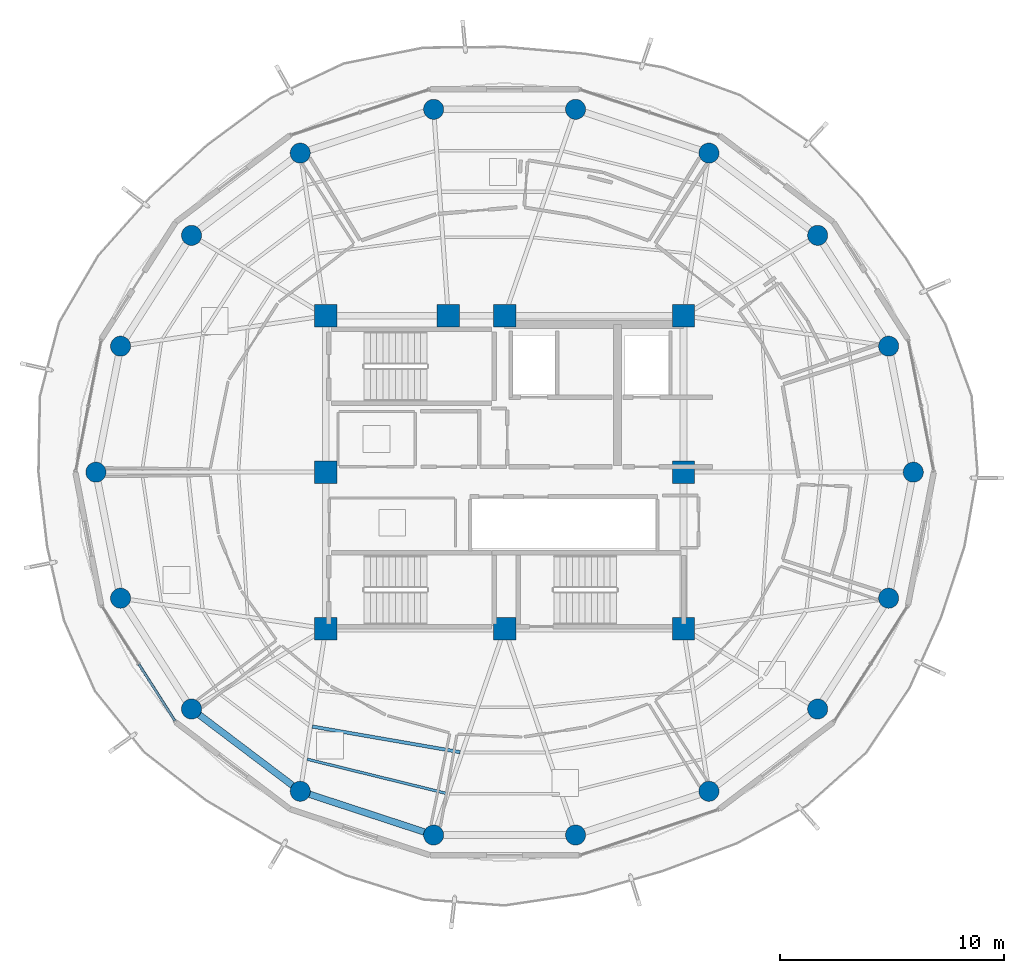
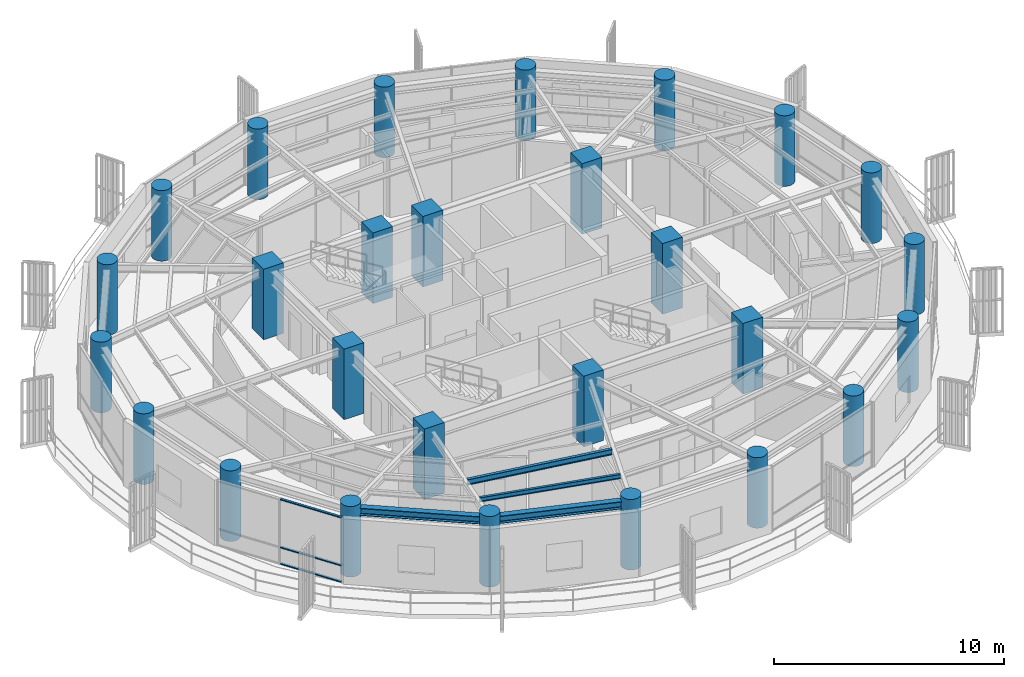
# One storey, part 1 of 22: 27 columns, 4 beams, 3 members, 1 element without a shape of its own.
"""IFC4 building model written with IfcOpenShell, lengths in metres."""

import ifcopenshell
import ifcopenshell.guid

model = None  # the IFC model being written
_history = None  # IfcOwnerHistory: only IFC2X3 demands one
_inside = {}  # id of a spatial element -> (the spatial element, [elements in it])
_under = {}  # id of a project, library or spatial element -> (it, [spatial elements below it])
_declared = {}  # id of a project -> (the project, [libraries it declares])
_typed = {}  # id of a type object -> (the type object, [elements of that type])
_made_of = {}  # id of a material, layer set ... -> (it, [elements and type objects made of it])


def new_model(schema):
    """Start an empty IFC model of exactly this schema.

    Asked for "IFC4X3", IfcOpenShell would pick the latest addendum, in which some entities
    have other attributes; the version numbers below select the first issue.
    IFC2X3 requires an IfcOwnerHistory on every rooted entity: one is made here for all.
    """
    global model, _history
    if schema == "IFC4X3":
        model = ifcopenshell.file(schema_version=(4, 3, 0, 0))
    else:
        model = ifcopenshell.file(schema=schema)
    _inside.clear()
    _under.clear()
    _declared.clear()
    _typed.clear()
    _made_of.clear()
    _history = None
    if model.schema == "IFC2X3":
        org = make("IfcOrganization", Name="unknown")
        user = make(
            "IfcPersonAndOrganization",
            ThePerson=make("IfcPerson", FamilyName="unknown"),
            TheOrganization=org,
        )
        app = make(
            "IfcApplication",
            ApplicationDeveloper=org,
            Version="unknown",
            ApplicationFullName="unknown",
            ApplicationIdentifier="unknown",
        )
        _history = make(
            "IfcOwnerHistory",
            OwningUser=user,
            OwningApplication=app,
            ChangeAction="ADDED",
            CreationDate=0,
        )
    return model


def make(cls, **values):
    """One entity of the class cls with the attributes given. An attribute that is None is left unset."""
    return model.create_entity(
        cls, **{name: value for name, value in values.items() if value is not None}
    )


def rooted(cls, **values):
    """An entity with a GlobalId (a new one), such as an element, a storey or a relation."""
    return make(cls, GlobalId=ifcopenshell.guid.new(), OwnerHistory=_history, **values)


def si_unit(unit_type, name, prefix=None):
    """IfcSIUnit, for example si_unit("LENGTHUNIT", "METRE", prefix="MILLI")."""
    return make("IfcSIUnit", UnitType=unit_type, Prefix=prefix, Name=name)


def assignment(units):
    """IfcUnitAssignment: the units of a project."""
    return None if units is None else make("IfcUnitAssignment", Units=units)


def point(xyz):
    """IfcCartesianPoint."""
    return None if xyz is None else make("IfcCartesianPoint", Coordinates=xyz)


def direction(xyz):
    """IfcDirection."""
    return None if xyz is None else make("IfcDirection", DirectionRatios=xyz)


def frame(location, z_axis=None, x_axis=None):
    """IfcAxis2Placement3D, a coordinate frame: its origin and axes. An axis left out is left unset."""
    return make(
        "IfcAxis2Placement3D",
        Location=point(location),
        Axis=direction(z_axis),
        RefDirection=direction(x_axis),
    )


def frame_2d(location, x_axis=None):
    """IfcAxis2Placement2D, a coordinate frame in the plane: its origin and x axis."""
    return make(
        "IfcAxis2Placement2D", Location=point(location), RefDirection=direction(x_axis)
    )


def origin():
    """The frame at (0, 0, 0) with its axes left unset."""
    return frame((0.0, 0.0, 0.0))


def origin_2d():
    """The frame at (0, 0) in the plane with its x axis left unset."""
    return frame_2d((0.0, 0.0))


def place(relative_to, where):
    """IfcLocalPlacement: puts the frame where relative to a parent placement (None: the world)."""
    return make(
        "IfcLocalPlacement", PlacementRelTo=relative_to, RelativePlacement=where
    )


def context(
    kind, dimensions, precision=None, world=None, true_north=None, identifier=None
):
    """IfcGeometricRepresentationContext, for example the 3D "Model" context."""
    return make(
        "IfcGeometricRepresentationContext",
        ContextIdentifier=identifier,
        ContextType=kind,
        CoordinateSpaceDimension=dimensions,
        Precision=precision,
        WorldCoordinateSystem=world,
        TrueNorth=true_north,
    )


def subcontext(parent, identifier, kind, view, scale=None):
    """IfcGeometricRepresentationSubContext, for example "Body" below "Model"."""
    return make(
        "IfcGeometricRepresentationSubContext",
        ContextIdentifier=identifier,
        ContextType=kind,
        ParentContext=parent,
        TargetScale=scale,
        TargetView=view,
    )


def project(units=None, contexts=None):
    """IfcProject with its units and contexts."""
    return rooted(
        "IfcProject",
        Name="project",
        RepresentationContexts=contexts,
        UnitsInContext=assignment(units),
    )


def spatial(cls, under=None, at=None, **own):
    """A site, building, storey or space (cls), placed at a placement, below another one or the project."""
    s = rooted(cls, ObjectPlacement=at, **own)
    if under is not None:
        _under.setdefault(under.id(), (under, []))[1].append(s)
    return s


def profile(cls, at=None, kind="AREA", **sizes):
    """A parametric profile (cls). Its sizes go by their IFC names, for example OverallWidth=200.0."""
    return make(cls, ProfileType=kind, Position=at, **sizes)


def rectangle(**sizes):
    """IfcRectangleProfileDef."""
    return profile("IfcRectangleProfileDef", **sizes)


def hollow_rectangle(**sizes):
    """IfcRectangleHollowProfileDef."""
    return profile("IfcRectangleHollowProfileDef", **sizes)


def circle(**sizes):
    """IfcCircleProfileDef."""
    return profile("IfcCircleProfileDef", **sizes)


def i_section(**sizes):
    """IfcIShapeProfileDef."""
    return profile("IfcIShapeProfileDef", **sizes)


def extrude(swept, where, along, depth):
    """IfcExtrudedAreaSolid: the profile swept, set in the frame where, extruded along a direction by depth."""
    return make(
        "IfcExtrudedAreaSolid",
        SweptArea=swept,
        Position=where,
        ExtrudedDirection=direction(along),
        Depth=depth,
    )


def shape(context_of_items, identifier, shape_type, items):
    """IfcShapeRepresentation: the items that make up one representation, for example the "Body"."""
    return make(
        "IfcShapeRepresentation",
        ContextOfItems=context_of_items,
        RepresentationIdentifier=identifier,
        RepresentationType=shape_type,
        Items=items,
    )


def material(Name=None, Category=None):
    """IfcMaterial."""
    return make("IfcMaterial", Name=Name, Category=Category)


def layer(
    of_material, thickness, ventilated=None, Name=None, Category=None, Priority=None
):
    """IfcMaterialLayer: one layer of a wall or slab, of a material (None: an air gap)."""
    return make(
        "IfcMaterialLayer",
        Material=of_material,
        LayerThickness=thickness,
        IsVentilated=ventilated,
        Name=Name,
        Category=Category,
        Priority=Priority,
    )


def layer_set(layers, Name=None):
    """IfcMaterialLayerSet."""
    return make("IfcMaterialLayerSet", MaterialLayers=layers, LayerSetName=Name)


def material_profile(
    of_material, cross_section, Name=None, Category=None, Priority=None
):
    """IfcMaterialProfile: a cross section and its material."""
    return make(
        "IfcMaterialProfile",
        Name=Name,
        Material=of_material,
        Profile=cross_section,
        Priority=Priority,
        Category=Category,
    )


def profile_set(profiles, Name=None, composite=None):
    """IfcMaterialProfileSet."""
    return make(
        "IfcMaterialProfileSet",
        Name=Name,
        MaterialProfiles=profiles,
        CompositeProfile=composite,
    )


def made_of(thing, what):
    """Note that an element or type object is made of a material, layer set ...; save() writes the relation."""
    if what is not None:
        _made_of.setdefault(what.id(), (what, []))[1].append(thing)
    return thing


def type_object(cls, material=None, **own):
    """A type object (cls), such as IfcWallType, which elements share."""
    return made_of(rooted(cls, **own), material)


def element(
    cls,
    number,
    at=None,
    inside=None,
    cuts=None,
    type_object=None,
    material=None,
    context=None,
    identifier="Body",
    shape_type=None,
    held_by="IfcProductDefinitionShape",
    body=None,
    shapes=None,
    **own,
):
    """One element of the class cls, such as IfcWall. Its Tag is "e" and its number.

    at: its placement. inside: the storey or other place that contains it. cuts: it is an
    opening in that element (IfcRelVoidsElement). A single representation is given by context,
    identifier, shape_type and body (its items); several are given by shapes. held_by: the class
    of the entity that holds the representations. save() writes the other relations.
    """
    e = rooted(cls, Tag="e%d" % number, ObjectPlacement=at, **own)
    if body is not None:
        shapes = [shape(context, identifier, shape_type, body)]
    if shapes is not None:
        e.Representation = make(held_by, Representations=shapes)
    if inside is not None:
        _inside.setdefault(inside.id(), (inside, []))[1].append(e)
    if cuts is not None:
        rooted(
            "IfcRelVoidsElement", RelatingBuildingElement=cuts, RelatedOpeningElement=e
        )
    if type_object is not None:
        _typed.setdefault(type_object.id(), (type_object, []))[1].append(e)
    return made_of(e, material)


def aggregate(whole, parts):
    """IfcRelAggregates: a whole, such as a stair, and the parts it consists of."""
    return rooted("IfcRelAggregates", RelatingObject=whole, RelatedObjects=parts)


def save(model, path):
    """Write the relations noted so far, then the file.

    IfcRelAggregates (storeys below a building ...), IfcRelContainedInSpatialStructure (elements
    in a storey), IfcRelDefinesByType, IfcRelAssociatesMaterial and IfcRelDeclares: one each for
    every whole, place, type object, material and project.
    """
    for whole, parts in _under.values():
        aggregate(whole, parts)
    for where, things in _inside.values():
        rooted(
            "IfcRelContainedInSpatialStructure",
            RelatedElements=things,
            RelatingStructure=where,
        )
    for kind, things in _typed.values():
        rooted("IfcRelDefinesByType", RelatedObjects=things, RelatingType=kind)
    for what, things in _made_of.values():
        rooted("IfcRelAssociatesMaterial", RelatedObjects=things, RelatingMaterial=what)
    for by, libraries in _declared.values():
        rooted("IfcRelDeclares", RelatingContext=by, RelatedDefinitions=libraries)
    model.write(path)


model = new_model("IFC4")

# Units and contexts
model_context = context("Model", 3, precision=1e-05, world=origin(), true_north=direction((0.0, 1.0)))
body_context = subcontext(model_context, "Body", "Model", "MODEL_VIEW")
ifc_project = project(units=[si_unit("LENGTHUNIT", "METRE"), si_unit("AREAUNIT", "SQUARE_METRE"), si_unit("VOLUMEUNIT", "CUBIC_METRE"), si_unit("PLANEANGLEUNIT", "RADIAN"), si_unit("MASSUNIT", "GRAM", prefix="KILO")], contexts=[model_context])

# Site, building, storey
site_placement = place(None, origin())
site = spatial("IfcSite", under=ifc_project, at=site_placement, CompositionType="ELEMENT")
building_placement = place(site_placement, origin())
building = spatial("IfcBuilding", under=site, at=building_placement, Name="Kelanora Arch Commons", CompositionType="ELEMENT")
storey_placement = place(building_placement, frame((0.0, 0.0, 267.449951171875)))
storey = spatial("IfcBuildingStorey", under=building, at=storey_placement, Name="L68", CompositionType="ELEMENT", Elevation=267.449951171875)

# Columns
ifc_material_1 = material(Name="Concrete C50/60", Category="concrete")
ifc_material_profile_1 = material_profile(ifc_material_1, circle(Radius=0.449951171875, at=origin_2d()), Name="RCC900")
ifc_profile_set_1 = profile_set([ifc_material_profile_1], Name="Concrete C50/60")
column_type_1 = type_object("IfcColumnType", Name="COL-PERIM-Z5", PredefinedType="COLUMN", material=ifc_profile_set_1)
for number, where, z_axis, x_axis, name in (
    (1, (92.280029296875, 58.0, 0.0), (0.0, 0.0, 1.0), (1.0, 0.0, 0.0), "Perimeter Ring Column CP-00 L68"),
    (2, (91.177490234375, 63.636474609375, 0.0), (0.0, 0.0, 1.0), (1.0, 0.0, 0.0), "Perimeter Ring Column CP-02 L68"),
    (3, (88.00341796875, 68.593017578125, 0.0), (0.0, 0.0, 1.0), (1.0, 0.0, 0.0), "Perimeter Ring Column CP-04 L68"),
    (4, (83.139892578125, 72.272216796875, 0.0), (0.0, 0.0, 1.0), (1.0, 0.0, 0.0), "Perimeter Ring Column CP-06 L68"),
    (5, (77.17431640625, 74.2294921875, 0.0), (0.0, 0.0, 1.0), (1.0, 0.0, 0.0), "Perimeter Ring Column CP-08 L68"),
    (6, (70.82568359375, 74.2294921875, 0.0), (0.0, 0.0, 1.0), (1.0, 0.0, 0.0), "Perimeter Ring Column CP-10 L68"),
    (7, (64.860107421875, 72.272216796875, 0.0), (0.0, 0.0, 1.0), (1.0, 0.0, 0.0), "Perimeter Ring Column CP-12 L68"),
    (8, (59.99658203125, 68.593017578125, 0.0), (0.0, 0.0, 1.0), (1.0, 0.0, 0.0), "Perimeter Ring Column CP-14 L68"),
    (9, (56.822509765625, 63.636474609375, 0.0), (0.0, 0.0, 1.0), (1.0, 0.0, 0.0), "Perimeter Ring Column CP-16 L68"),
    (10, (55.719970703125, 58.0, 0.0), (0.0, 0.0, 1.0), (1.0, 0.0, 0.0), "Perimeter Ring Column CP-18 L68"),
    (11, (56.822509765625, 52.363525390625, 0.0), (0.0, 0.0, 1.0), (1.0, 0.0, 0.0), "Perimeter Ring Column CP-20 L68"),
    (12, (59.99658203125, 47.406982421875, 0.0), (0.0, 0.0, 1.0), (1.0, 0.0, 0.0), "Perimeter Ring Column CP-22 L68"),
    (13, (64.860107421875, 43.727783203125, 0.0), (0.0, 0.0, 1.0), (1.0, 0.0, 0.0), "Perimeter Ring Column CP-24 L68"),
    (14, (70.82568359375, 41.7705078125, 0.0), (0.0, 0.0, 1.0), (1.0, 0.0, 0.0), "Perimeter Ring Column CP-26 L68"),
    (15, (77.17431640625, 41.7705078125, 0.0), (0.0, 0.0, 1.0), (1.0, 0.0, 0.0), "Perimeter Ring Column CP-28 L68"),
    (16, (83.139892578125, 43.727783203125, 0.0), (0.0, 0.0, 1.0), (1.0, 0.0, 0.0), "Perimeter Ring Column CP-30 L68"),
    (17, (88.00341796875, 47.406982421875, 0.0), (0.0, 0.0, 1.0), (1.0, 0.0, 0.0), "Perimeter Ring Column CP-32 L68"),
    (18, (91.177490234375, 52.363525390625, 0.0), (0.0, 0.0, 1.0), (1.0, 0.0, 0.0), "Perimeter Ring Column CP-34 L68"),
):
    element("IfcColumn", number, at=place(storey_placement, frame(where, z_axis=z_axis, x_axis=x_axis)), inside=storey, type_object=column_type_1, Name=name, PredefinedType="COLUMN", context=body_context, shape_type="SweptSolid", body=[
        extrude(circle(Radius=0.449951171875, at=origin_2d()), origin(), (0.0, 0.0, 1.0), 3.75),
    ])
ifc_material_profile_2 = material_profile(ifc_material_1, rectangle(XDim=1.0, YDim=1.0, at=origin_2d()), Name="RC1000x1000")
ifc_profile_set_2 = profile_set([ifc_material_profile_2], Name="Concrete C50/60")
column_type_2 = type_object("IfcColumnType", Name="COL-PIL-HIGH", PredefinedType="PILASTER", material=ifc_profile_set_2)
for number, where, z_axis, x_axis, name in (
    (19, (66.0, 51.0, 0.0), (0.0, 0.0, 1.0), (1.0, 0.0, 0.0), "Core Pilaster Column CP1 L68"),
    (20, (74.0, 51.0, 0.0), (0.0, 0.0, 1.0), (1.0, 0.0, 0.0), "Core Pilaster Column CP2 L68"),
    (21, (82.0, 51.0, 0.0), (0.0, 0.0, 1.0), (1.0, 0.0, 0.0), "Core Pilaster Column CP3 L68"),
    (22, (82.0, 58.0, 0.0), (0.0, 0.0, 1.0), (1.0, 0.0, 0.0), "Core Pilaster Column CP4 L68"),
    (23, (82.0, 65.0, 0.0), (0.0, 0.0, 1.0), (1.0, 0.0, 0.0), "Core Pilaster Column CP5 L68"),
    (24, (74.0, 65.0, 0.0), (0.0, 0.0, 1.0), (1.0, 0.0, 0.0), "Core Pilaster Column CP6 L68"),
    (25, (71.47998046875, 65.0, 0.0), (0.0, 0.0, 1.0), (1.0, 0.0, 0.0), "Core Pilaster Column CP9 L68"),
    (26, (66.0, 65.0, 0.0), (0.0, 0.0, 1.0), (1.0, 0.0, 0.0), "Core Pilaster Column CP7 L68"),
    (27, (66.0, 58.0, 0.0), (0.0, 0.0, 1.0), (1.0, 0.0, 0.0), "Core Pilaster Column CP8 L68"),
):
    element("IfcColumn", number, at=place(storey_placement, frame(where, z_axis=z_axis, x_axis=x_axis)), inside=storey, type_object=column_type_2, Name=name, PredefinedType="PILASTER", context=body_context, shape_type="SweptSolid", body=[
        extrude(rectangle(XDim=1.0, YDim=1.0, at=origin_2d()), origin(), (0.0, 0.0, 1.0), 3.75),
    ])

# Beams
ifc_material_2 = material(Name="Steel S355", Category="steel")
ifc_material_profile_3 = material_profile(ifc_material_2, i_section(OverallWidth=0.14990234375, OverallDepth=0.300048828125, WebThickness=0.007080078125, FlangeThickness=0.0107421875, FilletRadius=0.014892578125, at=origin_2d()), Name="IPE300")
ifc_profile_set_3 = profile_set([ifc_material_profile_3], Name="Steel S355")
beam_type_1 = type_object("IfcBeamType", Name="BM-JST-01", PredefinedType="JOIST", material=ifc_profile_set_3)
beam_1_placement = place(storey_placement, frame((65.39990234375, 46.622314453125, 3.340087890625), z_axis=(0.985321568263, -0.170708544357, 0.0), x_axis=(0.170708544357, 0.985321568263, 0.0)))
element("IfcBeam", 28, at=beam_1_placement, inside=storey, type_object=beam_type_1, Name="Secondary Chord Joist BJB-24 L68", PredefinedType="JOIST", context=body_context, shape_type="SweptSolid", body=[
    extrude(i_section(OverallWidth=0.14990234375, OverallDepth=0.300048828125, WebThickness=0.007080078125, FlangeThickness=0.0107421875, FilletRadius=0.014892578125, at=origin_2d()), origin(), (0.0, 0.0, 1.0), 6.710205078125),
])
ifc_material_profile_4 = material_profile(ifc_material_2, i_section(OverallWidth=0.1201171875, OverallDepth=0.239990234375, WebThickness=0.006103515625, FlangeThickness=0.009765625, FilletRadius=0.014892578125, at=origin_2d()), Name="IPE240")
ifc_profile_set_4 = profile_set([ifc_material_profile_4], Name="Steel S355")
beam_type_2 = type_object("IfcBeamType", Name="BM-JST-02", PredefinedType="JOIST", material=ifc_profile_set_4)
beam_2_placement = place(storey_placement, frame((65.17041015625, 45.162109375, 3.3701171875), z_axis=(0.971109719488, -0.23863342749, 0.0), x_axis=(0.23863342749, 0.971109719488, 0.0)))
element("IfcBeam", 29, at=beam_2_placement, inside=storey, type_object=beam_type_2, Name="Secondary Chord Joist BJC-24 L68", PredefinedType="JOIST", context=body_context, shape_type="SweptSolid", body=[
    extrude(i_section(OverallWidth=0.1201171875, OverallDepth=0.239990234375, WebThickness=0.006103515625, FlangeThickness=0.009765625, FilletRadius=0.014892578125, at=origin_2d()), origin(), (0.0, 0.0, 1.0), 6.39208984375),
])
ifc_material_profile_5 = material_profile(ifc_material_2, i_section(OverallWidth=0.300048828125, OverallDepth=0.39990234375, WebThickness=0.013427734375, FlangeThickness=0.02392578125, FilletRadius=0.027099609375, at=origin_2d()), Name="HEB400")
ifc_profile_set_5 = profile_set([ifc_material_profile_5], Name="Steel S355")
beam_type_3 = type_object("IfcBeamType", Name="BM-SPN-Z4", PredefinedType="SPANDREL", material=ifc_profile_set_5)
beam_3_placement = place(storey_placement, frame((59.99658203125, 47.406982421875, 3.2900390625), z_axis=(0.797509460967, -0.603306439273, 0.0), x_axis=(0.603306439273, 0.797509460967, 0.0)))
element("IfcBeam", 30, at=beam_3_placement, inside=storey, type_object=beam_type_3, Name="Perimeter Spandrel Beam BS-22 L68", PredefinedType="SPANDREL", context=body_context, shape_type="SweptSolid", body=[
    extrude(i_section(OverallWidth=0.300048828125, OverallDepth=0.39990234375, WebThickness=0.013427734375, FlangeThickness=0.02392578125, FilletRadius=0.027099609375, at=origin_2d()), origin(), (0.0, 0.0, 1.0), 6.098388671875),
])
beam_4_placement = place(storey_placement, frame((64.860107421875, 43.727783203125, 3.2900390625), z_axis=(0.950165923039, -0.311744636996, 0.0), x_axis=(0.311744636996, 0.950165923039, 0.0)))
element("IfcBeam", 31, at=beam_4_placement, inside=storey, type_object=beam_type_3, Name="Perimeter Spandrel Beam BS-24 L68", PredefinedType="SPANDREL", context=body_context, shape_type="SweptSolid", body=[
    extrude(i_section(OverallWidth=0.300048828125, OverallDepth=0.39990234375, WebThickness=0.013427734375, FlangeThickness=0.02392578125, FilletRadius=0.027099609375, at=origin_2d()), origin(), (0.0, 0.0, 1.0), 6.278564453125),
])

# Curtain wall, members
ifc_material_3 = material(Name="Terracotta ceramic-fritted low-E glass and aluminium", Category="masonry")
ifc_layer = layer(ifc_material_3, 0.18994140625)
ifc_layer_set = layer_set([ifc_layer], Name="Terracotta ceramic-fritted low-E glass and aluminium")
curtain_wall_type = type_object("IfcCurtainWallType", Name="CW-SYS-03", PredefinedType="NOTDEFINED", material=ifc_layer_set)
curtain_wall_placement = place(storey_placement, origin())
curtain_wall = element("IfcCurtainWall", 32, at=curtain_wall_placement, inside=storey, type_object=curtain_wall_type, Name="Unitised Curtain Wall L68-B10", PredefinedType="NOTDEFINED")
ifc_material_4 = material(Name="Powder-coated aluminium terracotta", Category="masonry")
ifc_material_profile_6 = material_profile(ifc_material_4, hollow_rectangle(XDim=0.1201171875, YDim=0.06005859375, WallThickness=0.0048828125, InnerFilletRadius=0.0048828125, OuterFilletRadius=0.010009765625, at=origin_2d()), Name="CWT120x60")
ifc_profile_set_6 = profile_set([ifc_material_profile_6], Name="Powder-coated aluminium terracotta")
member_type = type_object("IfcMemberType", Name="CWT-STD", PredefinedType="USERDEFINED", material=ifc_profile_set_6)
member_1_placement = place(storey_placement, frame((57.64111328125, 49.40673828125, 0.030029296875), z_axis=(0.537286543791, -0.84339976871, 0.0), x_axis=(0.84339976871, 0.537286543791, 0.0)))
member_1 = element("IfcMember", 33, at=member_1_placement, type_object=member_type, Name="CW-03 transom 2.1", ObjectType="TRANSOM", PredefinedType="USERDEFINED", context=body_context, shape_type="SweptSolid", body=[
    extrude(hollow_rectangle(XDim=0.1201171875, YDim=0.06005859375, WallThickness=0.0048828125, InnerFilletRadius=0.0048828125, OuterFilletRadius=0.010009765625, at=origin_2d()), origin(), (0.0, 0.0, 1.0), 2.997314453125),
])
member_2_placement = place(storey_placement, frame((57.64111328125, 49.40673828125, 0.900146484375), z_axis=(0.537286543791, -0.84339976871, 0.0), x_axis=(0.84339976871, 0.537286543791, 0.0)))
member_2 = element("IfcMember", 34, at=member_2_placement, type_object=member_type, Name="CW-03 transom 2.2", ObjectType="TRANSOM", PredefinedType="USERDEFINED", context=body_context, shape_type="SweptSolid", body=[
    extrude(hollow_rectangle(XDim=0.1201171875, YDim=0.06005859375, WallThickness=0.0048828125, InnerFilletRadius=0.0048828125, OuterFilletRadius=0.010009765625, at=origin_2d()), origin(), (0.0, 0.0, 1.0), 2.997314453125),
])
member_3_placement = place(storey_placement, frame((57.64111328125, 49.40673828125, 3.445068359375), z_axis=(0.537286543791, -0.84339976871, 0.0), x_axis=(0.84339976871, 0.537286543791, 0.0)))
member_3 = element("IfcMember", 35, at=member_3_placement, type_object=member_type, Name="CW-03 transom 2.3", ObjectType="TRANSOM", PredefinedType="USERDEFINED", context=body_context, shape_type="SweptSolid", body=[
    extrude(hollow_rectangle(XDim=0.1201171875, YDim=0.06005859375, WallThickness=0.0048828125, InnerFilletRadius=0.0048828125, OuterFilletRadius=0.010009765625, at=origin_2d()), origin(), (0.0, 0.0, 1.0), 2.997314453125),
])
aggregate(curtain_wall, [member_1, member_2, member_3])

save(model, "model.ifc")
